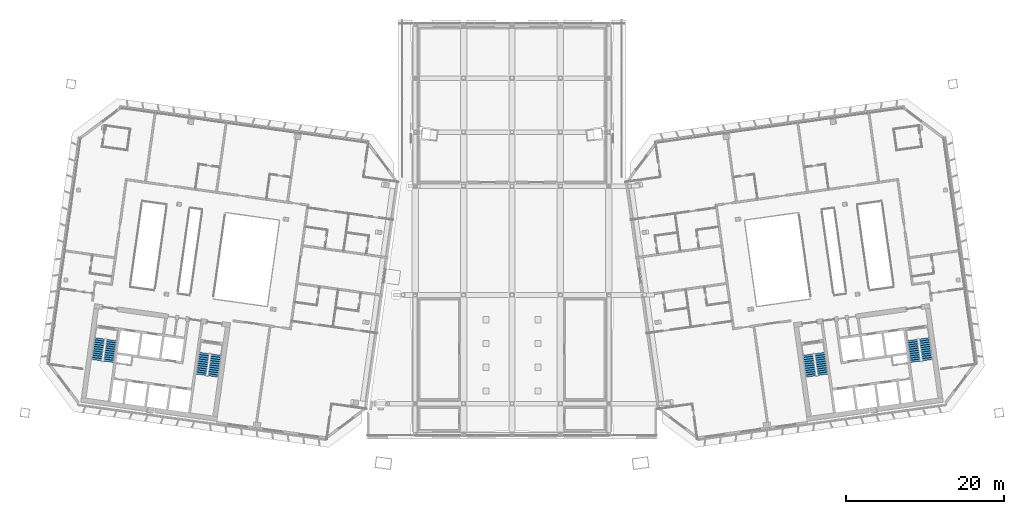
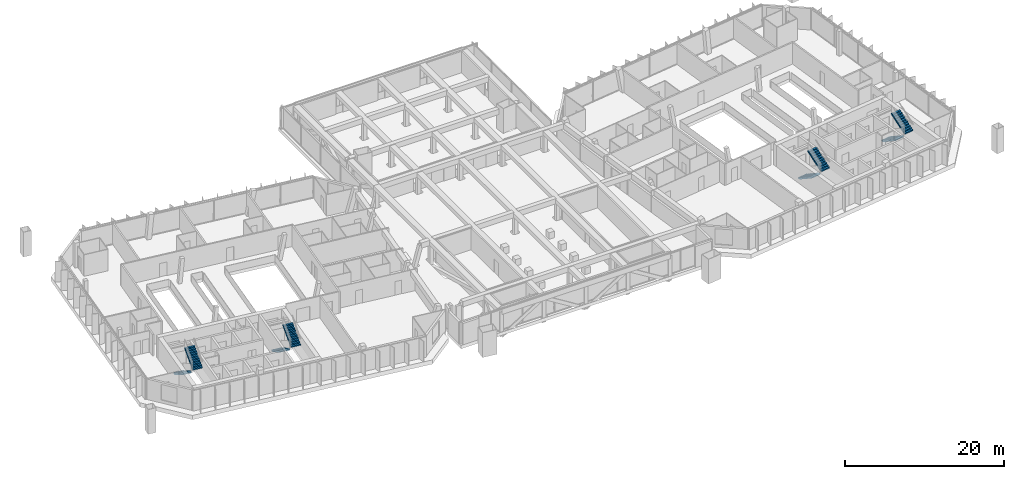
# One storey, part 24 of 30: 8 stair flights, 4 elements without a shape of their own.
"""IFC4 building model written with IfcOpenShell, lengths in metres."""

from ifc_helpers import new_model, si_unit, direction, frame, origin, place, context, subcontext, project, spatial, polyline, outline, extrude, material, type_object, element, aggregate, save


model = new_model("IFC4")

# Units and contexts
model_context = context("Model", 3, precision=1e-05, world=origin(), true_north=direction((0.0, 1.0)))
body_context = subcontext(model_context, "Body", "Model", "MODEL_VIEW")
ifc_project = project(units=[si_unit("LENGTHUNIT", "METRE"), si_unit("AREAUNIT", "SQUARE_METRE"), si_unit("VOLUMEUNIT", "CUBIC_METRE"), si_unit("PLANEANGLEUNIT", "RADIAN"), si_unit("MASSUNIT", "GRAM", prefix="KILO")], contexts=[model_context])

# Site, building, storey
site_placement = place(None, origin())
site = spatial("IfcSite", under=ifc_project, at=site_placement, CompositionType="ELEMENT")
building_placement = place(site_placement, origin())
building = spatial("IfcBuilding", under=site, at=building_placement, Name="Mirante Cascada Hotel Towers", CompositionType="ELEMENT")
storey_placement = place(building_placement, frame((0.0, 0.0, 258.4)))
storey = spatial("IfcBuildingStorey", under=building, at=storey_placement, Name="L62", CompositionType="ELEMENT", Elevation=258.4)

# Stair, stair flights
ifc_material_1 = material(Name="Concrete C35/45", Category="concrete")
stair_type = type_object("IfcStairType", Name="Exit stair half-turn 1350 concrete C35/45", PredefinedType="HALF_TURN_STAIR", material=ifc_material_1)
stair_1_placement = place(storey_placement, origin())
stair_1 = element("IfcStair", 1, at=stair_1_placement, inside=storey, type_object=stair_type, Name="L62 Exit stair A", PredefinedType="HALF_TURN_STAIR")
ifc_material_2 = material(Name="Concrete C35/45", Category="concrete")
stair_flight_type = type_object("IfcStairFlightType", Name="Exit stair flight 1350 concrete C35/45", PredefinedType="STRAIGHT", material=ifc_material_2)
stair_flight_1_placement = place(storey_placement, frame((-38.9417, -11.195, 0.0), z_axis=(0.0, 0.0, 1.0), x_axis=(-0.1391731, -0.9902681, 0.0)))
stair_flight_1 = element("IfcStairFlight", 2, at=stair_flight_1_placement, type_object=stair_flight_type, Name="ST1-A flight 1", NumberOfRisers=11, NumberOfTreads=10, PredefinedType="STRAIGHT", RiserHeight=0.172727273, TreadLength=0.28, context=body_context, shape_type="SweptSolid", body=[
    extrude(outline(polyline([(0.0, 0.0), (0.0, 0.1727), (0.28, 0.1727), (0.28, 0.3455), (0.56, 0.3455), (0.56, 0.5182), (0.84, 0.5182), (0.84, 0.6909), (1.12, 0.6909), (1.12, 0.8636), (1.4, 0.8636), (1.4, 1.0364), (1.68, 1.0364), (1.68, 1.2091), (1.96, 1.2091), (1.96, 1.3818), (2.24, 1.3818), (2.24, 1.5545), (2.52, 1.5545), (2.52, 1.7273), (2.8, 1.7273), (2.8, 1.9), (2.8, 1.551), (0.2857, 0.0), (0.0, 0.0)])), frame((0.0, 0.675, 0.0), z_axis=(0.0, -1.0, 0.0), x_axis=(1.0, 0.0, 0.0)), (0.0, 0.0, 1.0), 1.35),
])
stair_flight_2_placement = place(storey_placement, frame((-37.846, -14.1765, 1.9), z_axis=(0.0, 0.0, 1.0), x_axis=(0.1391731, 0.9902681, 0.0)))
stair_flight_2 = element("IfcStairFlight", 3, at=stair_flight_2_placement, type_object=stair_flight_type, Name="ST1-A flight 2", NumberOfRisers=11, NumberOfTreads=10, PredefinedType="STRAIGHT", RiserHeight=0.172727273, TreadLength=0.28, context=body_context, shape_type="SweptSolid", body=[
    extrude(outline(polyline([(0.0, 0.0), (0.0, 0.1727), (0.28, 0.1727), (0.28, 0.3455), (0.56, 0.3455), (0.56, 0.5182), (0.84, 0.5182), (0.84, 0.6909), (1.12, 0.6909), (1.12, 0.8636), (1.4, 0.8636), (1.4, 1.0364), (1.68, 1.0364), (1.68, 1.2091), (1.96, 1.2091), (1.96, 1.3818), (2.24, 1.3818), (2.24, 1.5545), (2.52, 1.5545), (2.52, 1.7273), (2.8, 1.7273), (2.8, 1.9), (2.8, 1.551), (0.2857, 0.0), (0.0, 0.0)])), frame((0.0, 0.675, 0.0), z_axis=(0.0, -1.0, 0.0), x_axis=(1.0, 0.0, 0.0)), (0.0, 0.0, 1.0), 1.35),
])
aggregate(stair_1, [stair_flight_1, stair_flight_2])

stair_2_placement = place(storey_placement, origin())
stair_2 = element("IfcStair", 4, at=stair_2_placement, inside=storey, type_object=stair_type, Name="L62 Exit stair B", PredefinedType="HALF_TURN_STAIR")
stair_flight_3_placement = place(storey_placement, frame((-52.1618, -9.3371, 0.0), z_axis=(0.0, 0.0, 1.0), x_axis=(-0.1391731, -0.9902681, 0.0)))
stair_flight_3 = element("IfcStairFlight", 5, at=stair_flight_3_placement, type_object=stair_flight_type, Name="ST1-B flight 1", NumberOfRisers=11, NumberOfTreads=10, PredefinedType="STRAIGHT", RiserHeight=0.172727273, TreadLength=0.28, context=body_context, shape_type="SweptSolid", body=[
    extrude(outline(polyline([(0.0, 0.0), (0.0, 0.1727), (0.28, 0.1727), (0.28, 0.3455), (0.56, 0.3455), (0.56, 0.5182), (0.84, 0.5182), (0.84, 0.6909), (1.12, 0.6909), (1.12, 0.8636), (1.4, 0.8636), (1.4, 1.0364), (1.68, 1.0364), (1.68, 1.2091), (1.96, 1.2091), (1.96, 1.3818), (2.24, 1.3818), (2.24, 1.5545), (2.52, 1.5545), (2.52, 1.7273), (2.8, 1.7273), (2.8, 1.9), (2.8, 1.551), (0.2857, 0.0), (0.0, 0.0)])), frame((0.0, 0.675, 0.0), z_axis=(0.0, -1.0, 0.0), x_axis=(1.0, 0.0, 0.0)), (0.0, 0.0, 1.0), 1.35),
])
stair_flight_4_placement = place(storey_placement, frame((-51.0661, -12.3186, 1.9), z_axis=(0.0, 0.0, 1.0), x_axis=(0.1391731, 0.9902681, 0.0)))
stair_flight_4 = element("IfcStairFlight", 6, at=stair_flight_4_placement, type_object=stair_flight_type, Name="ST1-B flight 2", NumberOfRisers=11, NumberOfTreads=10, PredefinedType="STRAIGHT", RiserHeight=0.172727273, TreadLength=0.28, context=body_context, shape_type="SweptSolid", body=[
    extrude(outline(polyline([(0.0, 0.0), (0.0, 0.1727), (0.28, 0.1727), (0.28, 0.3455), (0.56, 0.3455), (0.56, 0.5182), (0.84, 0.5182), (0.84, 0.6909), (1.12, 0.6909), (1.12, 0.8636), (1.4, 0.8636), (1.4, 1.0364), (1.68, 1.0364), (1.68, 1.2091), (1.96, 1.2091), (1.96, 1.3818), (2.24, 1.3818), (2.24, 1.5545), (2.52, 1.5545), (2.52, 1.7273), (2.8, 1.7273), (2.8, 1.9), (2.8, 1.551), (0.2857, 0.0), (0.0, 0.0)])), frame((0.0, 0.675, 0.0), z_axis=(0.0, -1.0, 0.0), x_axis=(1.0, 0.0, 0.0)), (0.0, 0.0, 1.0), 1.35),
])
aggregate(stair_2, [stair_flight_3, stair_flight_4])

stair_3_placement = place(storey_placement, origin())
stair_3 = element("IfcStair", 7, at=stair_3_placement, inside=storey, type_object=stair_type, Name="L62 Exit stair A", PredefinedType="HALF_TURN_STAIR")
stair_flight_5_placement = place(storey_placement, frame((37.4563, -11.4038, 0.0), z_axis=(0.0, 0.0, 1.0), x_axis=(0.1391731, -0.9902681, 0.0)))
stair_flight_5 = element("IfcStairFlight", 8, at=stair_flight_5_placement, type_object=stair_flight_type, Name="ST2-A flight 1", NumberOfRisers=11, NumberOfTreads=10, PredefinedType="STRAIGHT", RiserHeight=0.172727273, TreadLength=0.28, context=body_context, shape_type="SweptSolid", body=[
    extrude(outline(polyline([(0.0, 0.0), (0.0, 0.1727), (0.28, 0.1727), (0.28, 0.3455), (0.56, 0.3455), (0.56, 0.5182), (0.84, 0.5182), (0.84, 0.6909), (1.12, 0.6909), (1.12, 0.8636), (1.4, 0.8636), (1.4, 1.0364), (1.68, 1.0364), (1.68, 1.2091), (1.96, 1.2091), (1.96, 1.3818), (2.24, 1.3818), (2.24, 1.5545), (2.52, 1.5545), (2.52, 1.7273), (2.8, 1.7273), (2.8, 1.9), (2.8, 1.551), (0.2857, 0.0), (0.0, 0.0)])), frame((0.0, 0.675, 0.0), z_axis=(0.0, -1.0, 0.0), x_axis=(1.0, 0.0, 0.0)), (0.0, 0.0, 1.0), 1.35),
])
stair_flight_6_placement = place(storey_placement, frame((39.3314, -13.9678, 1.9), z_axis=(0.0, 0.0, 1.0), x_axis=(-0.1391731, 0.9902681, 0.0)))
stair_flight_6 = element("IfcStairFlight", 9, at=stair_flight_6_placement, type_object=stair_flight_type, Name="ST2-A flight 2", NumberOfRisers=11, NumberOfTreads=10, PredefinedType="STRAIGHT", RiserHeight=0.172727273, TreadLength=0.28, context=body_context, shape_type="SweptSolid", body=[
    extrude(outline(polyline([(0.0, 0.0), (0.0, 0.1727), (0.28, 0.1727), (0.28, 0.3455), (0.56, 0.3455), (0.56, 0.5182), (0.84, 0.5182), (0.84, 0.6909), (1.12, 0.6909), (1.12, 0.8636), (1.4, 0.8636), (1.4, 1.0364), (1.68, 1.0364), (1.68, 1.2091), (1.96, 1.2091), (1.96, 1.3818), (2.24, 1.3818), (2.24, 1.5545), (2.52, 1.5545), (2.52, 1.7273), (2.8, 1.7273), (2.8, 1.9), (2.8, 1.551), (0.2857, 0.0), (0.0, 0.0)])), frame((0.0, 0.675, 0.0), z_axis=(0.0, -1.0, 0.0), x_axis=(1.0, 0.0, 0.0)), (0.0, 0.0, 1.0), 1.35),
])
aggregate(stair_3, [stair_flight_5, stair_flight_6])

stair_4_placement = place(storey_placement, origin())
stair_4 = element("IfcStair", 10, at=stair_4_placement, inside=storey, type_object=stair_type, Name="L62 Exit stair B", PredefinedType="HALF_TURN_STAIR")
stair_flight_7_placement = place(storey_placement, frame((50.6764, -9.5458, 0.0), z_axis=(0.0, 0.0, 1.0), x_axis=(0.1391731, -0.9902681, 0.0)))
stair_flight_7 = element("IfcStairFlight", 11, at=stair_flight_7_placement, type_object=stair_flight_type, Name="ST2-B flight 1", NumberOfRisers=11, NumberOfTreads=10, PredefinedType="STRAIGHT", RiserHeight=0.172727273, TreadLength=0.28, context=body_context, shape_type="SweptSolid", body=[
    extrude(outline(polyline([(0.0, 0.0), (0.0, 0.1727), (0.28, 0.1727), (0.28, 0.3455), (0.56, 0.3455), (0.56, 0.5182), (0.84, 0.5182), (0.84, 0.6909), (1.12, 0.6909), (1.12, 0.8636), (1.4, 0.8636), (1.4, 1.0364), (1.68, 1.0364), (1.68, 1.2091), (1.96, 1.2091), (1.96, 1.3818), (2.24, 1.3818), (2.24, 1.5545), (2.52, 1.5545), (2.52, 1.7273), (2.8, 1.7273), (2.8, 1.9), (2.8, 1.551), (0.2857, 0.0), (0.0, 0.0)])), frame((0.0, 0.675, 0.0), z_axis=(0.0, -1.0, 0.0), x_axis=(1.0, 0.0, 0.0)), (0.0, 0.0, 1.0), 1.35),
])
stair_flight_8_placement = place(storey_placement, frame((52.5515, -12.1098, 1.9), z_axis=(0.0, 0.0, 1.0), x_axis=(-0.1391731, 0.9902681, 0.0)))
stair_flight_8 = element("IfcStairFlight", 12, at=stair_flight_8_placement, type_object=stair_flight_type, Name="ST2-B flight 2", NumberOfRisers=11, NumberOfTreads=10, PredefinedType="STRAIGHT", RiserHeight=0.172727273, TreadLength=0.28, context=body_context, shape_type="SweptSolid", body=[
    extrude(outline(polyline([(0.0, 0.0), (0.0, 0.1727), (0.28, 0.1727), (0.28, 0.3455), (0.56, 0.3455), (0.56, 0.5182), (0.84, 0.5182), (0.84, 0.6909), (1.12, 0.6909), (1.12, 0.8636), (1.4, 0.8636), (1.4, 1.0364), (1.68, 1.0364), (1.68, 1.2091), (1.96, 1.2091), (1.96, 1.3818), (2.24, 1.3818), (2.24, 1.5545), (2.52, 1.5545), (2.52, 1.7273), (2.8, 1.7273), (2.8, 1.9), (2.8, 1.551), (0.2857, 0.0), (0.0, 0.0)])), frame((0.0, 0.675, 0.0), z_axis=(0.0, -1.0, 0.0), x_axis=(1.0, 0.0, 0.0)), (0.0, 0.0, 1.0), 1.35),
])
aggregate(stair_4, [stair_flight_7, stair_flight_8])

save(model, "model.ifc")
